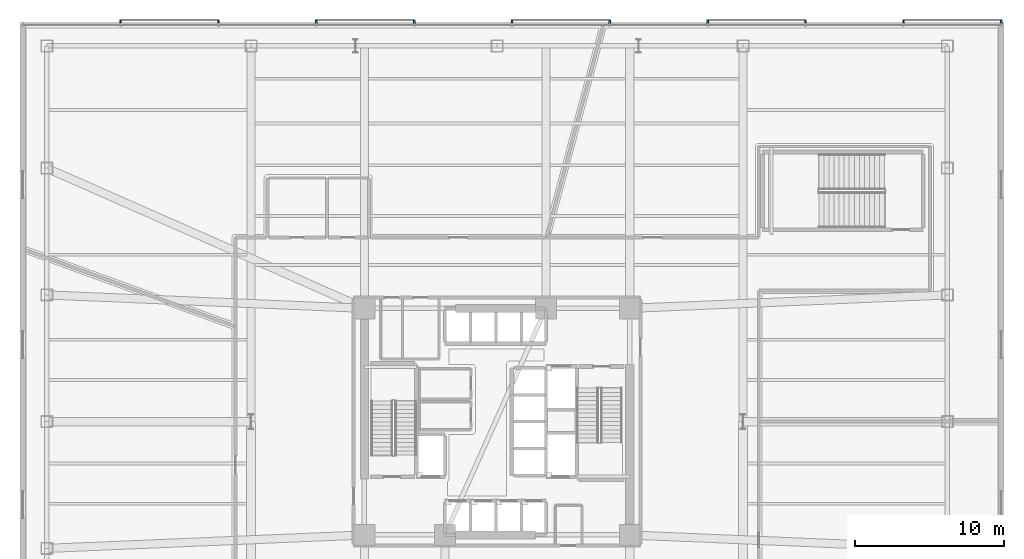
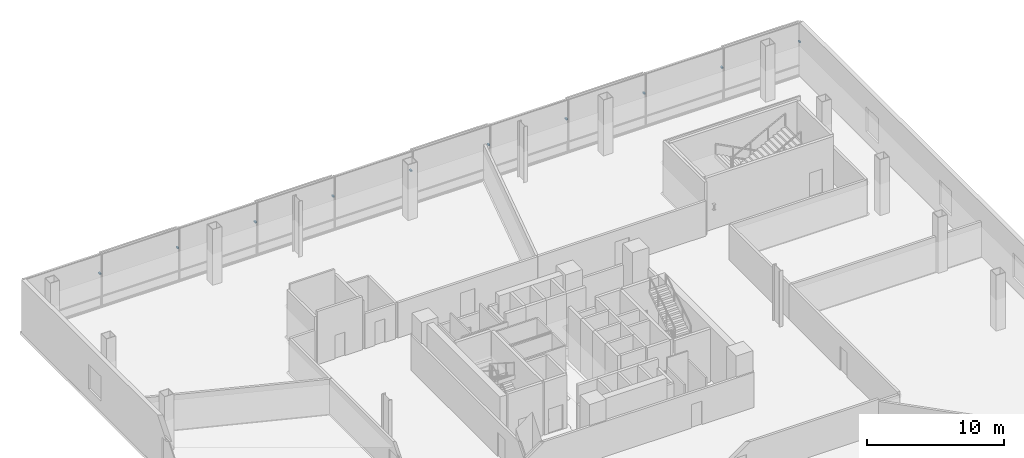
# One storey, part 17 of 24: 10 discrete accessories.
"""IFC4 building model written with IfcOpenShell, lengths in metres."""

from ifc_helpers import new_model, si_unit, direction, frame, origin, origin_2d, place, context, subcontext, project, spatial, rectangle, extrude, material, type_object, element, save


model = new_model("IFC4")

# Units and contexts
model_context = context("Model", 3, precision=1e-05, world=origin(), true_north=direction((0.0, 1.0)))
body_context = subcontext(model_context, "Body", "Model", "MODEL_VIEW")
ifc_project = project(units=[si_unit("LENGTHUNIT", "METRE"), si_unit("AREAUNIT", "SQUARE_METRE"), si_unit("VOLUMEUNIT", "CUBIC_METRE"), si_unit("PLANEANGLEUNIT", "RADIAN"), si_unit("MASSUNIT", "GRAM", prefix="KILO")], contexts=[model_context])

# Site, building, storey
site_placement = place(None, origin())
site = spatial("IfcSite", under=ifc_project, at=site_placement, CompositionType="ELEMENT")
building_placement = place(site_placement, origin())
building = spatial("IfcBuilding", under=site, at=building_placement, Name="Tharavind Bronze Gate", CompositionType="ELEMENT")
storey_placement = place(building_placement, frame((0.0, 0.0, 21.5)))
storey = spatial("IfcBuildingStorey", under=building, at=storey_placement, Name="L04", CompositionType="ELEMENT", Elevation=21.5)

# Discrete accessories
ifc_material = material(Name="Stainless Steel 316", Category="steel")
discrete_accessory_type = type_object("IfcDiscreteAccessoryType", Name="SOLAR SCREEN STANDOFF BRACKET", PredefinedType="BRACKET", material=ifc_material)
for number, where, z_axis, x_axis, name in (
    (1, (33.820068359375, 26.820068359375, 2.760009765625), (0.0, 0.0, 1.0), (-1.0, 0.0, 0.0), "CW-L04-S2 solar screen bracket 1.1"),
    (2, (27.256103515625, 26.820068359375, 2.760009765625), (0.0, 0.0, 1.0), (-1.0, 0.0, 0.0), "CW-L04-S2 solar screen bracket 1.2"),
    (3, (20.69189453125, 26.820068359375, 2.760009765625), (0.0, 0.0, 1.0), (-1.0, 0.0, 0.0), "CW-L04-S2 solar screen bracket 3.1"),
    (4, (14.1279296875, 26.820068359375, 2.760009765625), (0.0, 0.0, 1.0), (-1.0, 0.0, 0.0), "CW-L04-S2 solar screen bracket 3.2"),
    (5, (7.56396484375, 26.820068359375, 2.760009765625), (0.0, 0.0, 1.0), (-1.0, 0.0, 0.0), "CW-L04-S2 solar screen bracket 5.1"),
    (6, (1.0, 26.820068359375, 2.760009765625), (0.0, 0.0, 1.0), (-1.0, 0.0, 0.0), "CW-L04-S2 solar screen bracket 5.2"),
    (7, (-5.56396484375, 26.820068359375, 2.760009765625), (0.0, 0.0, 1.0), (-1.0, 0.0, 0.0), "CW-L04-S2 solar screen bracket 7.1"),
    (8, (-12.1279296875, 26.820068359375, 2.760009765625), (0.0, 0.0, 1.0), (-1.0, 0.0, 0.0), "CW-L04-S2 solar screen bracket 7.2"),
    (9, (-18.69189453125, 26.820068359375, 2.760009765625), (0.0, 0.0, 1.0), (-1.0, 0.0, 0.0), "CW-L04-S2 solar screen bracket 9.1"),
    (10, (-25.256103515625, 26.820068359375, 2.760009765625), (0.0, 0.0, 1.0), (-1.0, 0.0, 0.0), "CW-L04-S2 solar screen bracket 9.2"),
):
    element("IfcDiscreteAccessory", number, at=place(storey_placement, frame(where, z_axis=z_axis, x_axis=x_axis)), inside=storey, type_object=discrete_accessory_type, Name=name, PredefinedType="BRACKET", context=body_context, shape_type="SweptSolid", body=[
        extrude(rectangle(XDim=0.1201171875, YDim=0.239990234375, at=origin_2d()), origin(), (0.0, 0.0, 1.0), 0.1201171875),
    ])

save(model, "model.ifc")
